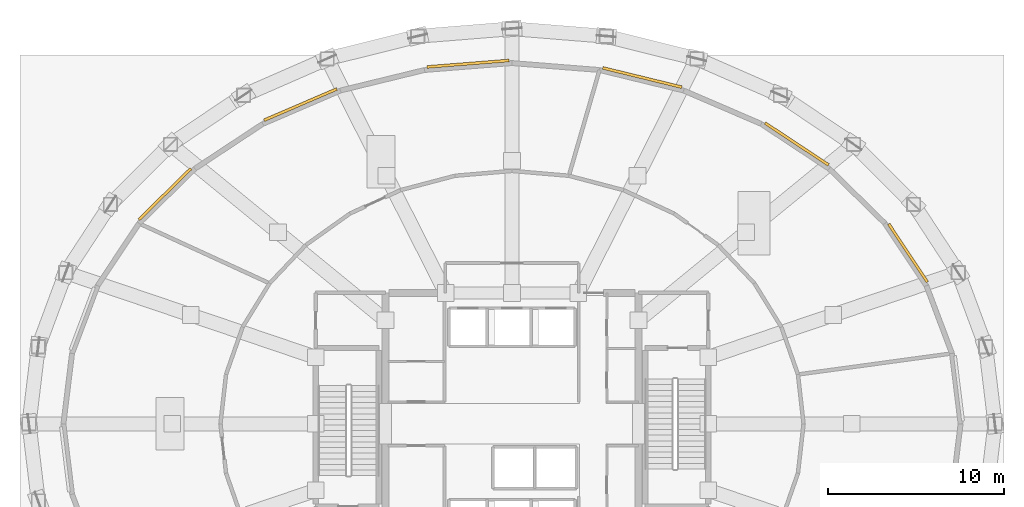
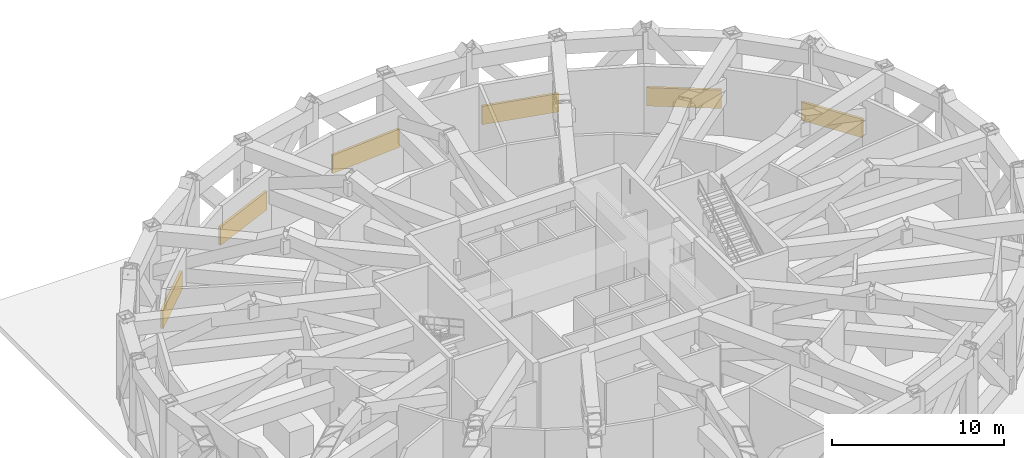
# One storey, part 11 of 12: 6 shading devices.
"""IFC4 building model written with IfcOpenShell, lengths in metres."""

from ifc_helpers import new_model, si_unit, direction, frame, origin, origin_2d, place, context, subcontext, project, spatial, rectangle, extrude, material, layer, layer_set, type_object, element, save


model = new_model("IFC4")

# Units and contexts
model_context = context("Model", 3, precision=1e-05, world=origin(), true_north=direction((0.0, 1.0)))
body_context = subcontext(model_context, "Body", "Model", "MODEL_VIEW")
ifc_project = project(units=[si_unit("LENGTHUNIT", "METRE"), si_unit("AREAUNIT", "SQUARE_METRE"), si_unit("VOLUMEUNIT", "CUBIC_METRE"), si_unit("PLANEANGLEUNIT", "RADIAN"), si_unit("MASSUNIT", "GRAM", prefix="KILO")], contexts=[model_context])

# Site, building, storey
site_placement = place(None, origin())
site = spatial("IfcSite", under=ifc_project, at=site_placement, CompositionType="ELEMENT")
building_placement = place(site_placement, origin())
building = spatial("IfcBuilding", under=site, at=building_placement, Name="Veldorina Hangang Commons", CompositionType="ELEMENT")
storey_placement = place(building_placement, frame((0.0, 0.0, 24.39990234375)))
storey = spatial("IfcBuildingStorey", under=building, at=storey_placement, Name="L05", CompositionType="ELEMENT", Elevation=24.39990234375)

# Shading devices
ifc_material = material(Name="Bronze Perforated Anodized", Category="metal")
ifc_layer = layer(ifc_material, 0.159912109375)
ifc_layer_set = layer_set([ifc_layer], Name="Bronze Perforated Anodized")
shading_device_type = type_object("IfcShadingDeviceType", Name="LVR-WND-4800", PredefinedType="JALOUSIE", material=ifc_layer_set)
shading_device_1_placement = place(storey_placement, frame((54.549072265625, 33.724365234375, 1.75), z_axis=(0.0, 0.0, 1.0), x_axis=(-0.553536912995, 0.832824642979, 0.0)))
element("IfcShadingDevice", 1, at=shading_device_1_placement, inside=storey, type_object=shading_device_type, Name="L05 transfer plant acoustic louvre 02", PredefinedType="JALOUSIE", context=body_context, shape_type="SweptSolid", body=[
    extrude(rectangle(XDim=3.9638671875, YDim=0.159912109375, at=origin_2d()), origin(), (0.0, 0.0, 1.0), 1.300048828125),
])
shading_device_2_placement = place(storey_placement, frame((48.21240234375, 39.934814453125, 1.75), z_axis=(0.0, 0.0, 1.0), x_axis=(-0.83459797708, 0.550859525337, 0.0)))
element("IfcShadingDevice", 2, at=shading_device_2_placement, inside=storey, type_object=shading_device_type, Name="L05 transfer plant acoustic louvre 04", PredefinedType="JALOUSIE", context=body_context, shape_type="SweptSolid", body=[
    extrude(rectangle(XDim=4.337158203125, YDim=0.159912109375, at=origin_2d()), origin(), (0.0, 0.0, 1.0), 1.300048828125),
])
shading_device_3_placement = place(storey_placement, frame((39.416015625, 43.71630859375, 1.75), z_axis=(0.0, 0.0, 1.0), x_axis=(-0.971507769146, 0.237007709767, 0.0)))
element("IfcShadingDevice", 3, at=shading_device_3_placement, inside=storey, type_object=shading_device_type, Name="L05 transfer plant acoustic louvre 06", PredefinedType="JALOUSIE", context=body_context, shape_type="SweptSolid", body=[
    extrude(rectangle(XDim=4.631591796875, YDim=0.159912109375, at=origin_2d()), origin(), (0.0, 0.0, 1.0), 1.300048828125),
])
shading_device_4_placement = place(storey_placement, frame((29.49609375, 44.502197265625, 1.75), z_axis=(0.0, 0.0, 1.0), x_axis=(-0.996877494321, -0.078963670862, 0.0)))
element("IfcShadingDevice", 4, at=shading_device_4_placement, inside=storey, type_object=shading_device_type, Name="L05 transfer plant acoustic louvre 08", PredefinedType="JALOUSIE", context=body_context, shape_type="SweptSolid", body=[
    extrude(rectangle(XDim=4.6982421875, YDim=0.159912109375, at=origin_2d()), origin(), (0.0, 0.0, 1.0), 1.300048828125),
])
shading_device_5_placement = place(storey_placement, frame((19.955322265625, 42.17431640625, 1.75), z_axis=(0.0, 0.0, 1.0), x_axis=(-0.918715407837, -0.394920244358, 0.0)))
element("IfcShadingDevice", 5, at=shading_device_5_placement, inside=storey, type_object=shading_device_type, Name="L05 transfer plant acoustic louvre 10", PredefinedType="JALOUSIE", context=body_context, shape_type="SweptSolid", body=[
    extrude(rectangle(XDim=4.50634765625, YDim=0.159912109375, at=origin_2d()), origin(), (0.0, 0.0, 1.0), 1.300048828125),
])
shading_device_6_placement = place(storey_placement, frame((12.240478515625, 37.08203125, 1.75), z_axis=(0.0, 0.0, 1.0), x_axis=(-0.714216191641, -0.699925161427, 0.0)))
element("IfcShadingDevice", 6, at=shading_device_6_placement, inside=storey, type_object=shading_device_type, Name="L05 transfer plant acoustic louvre 12", PredefinedType="JALOUSIE", context=body_context, shape_type="SweptSolid", body=[
    extrude(rectangle(XDim=4.147216796875, YDim=0.159912109375, at=origin_2d()), origin(), (0.0, 0.0, 1.0), 1.300048828125),
])

save(model, "model.ifc")
